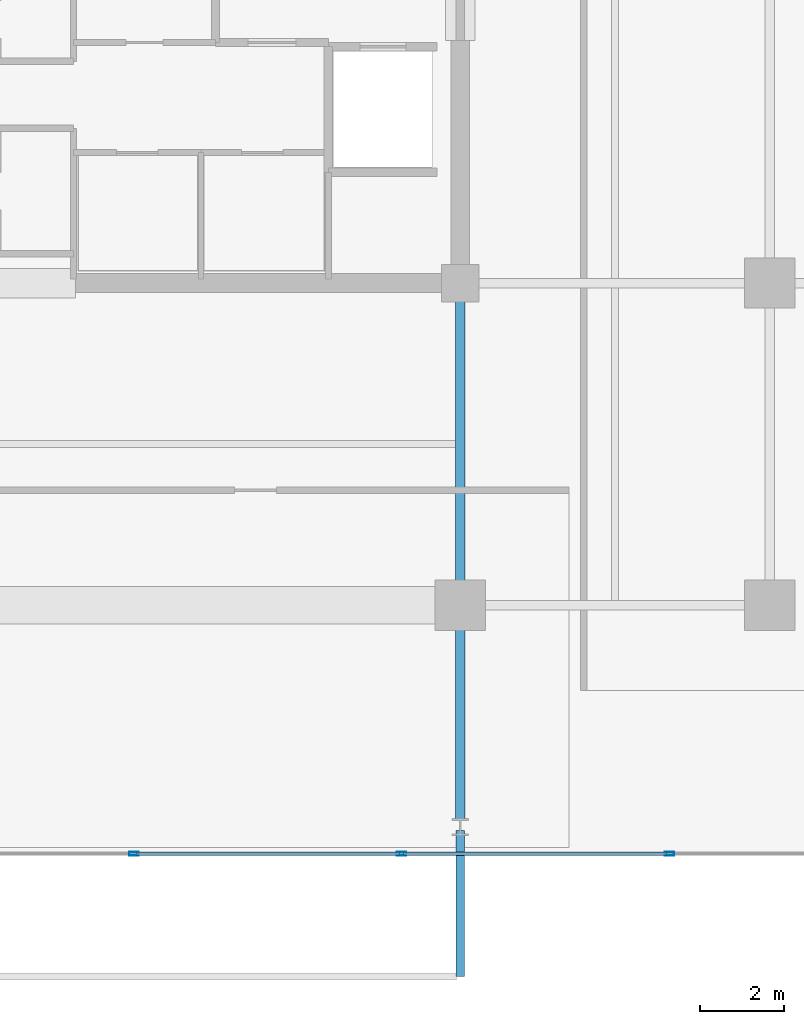
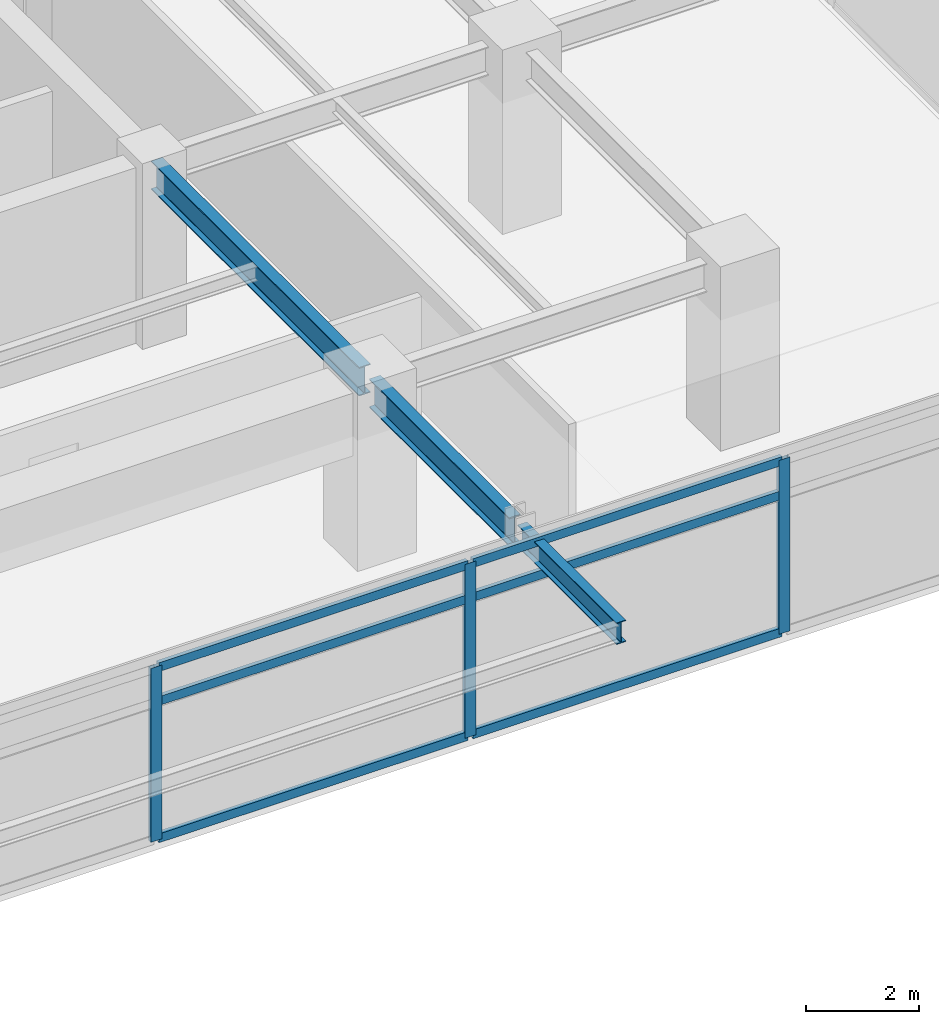
# One storey, part 5 of 19: 9 members, 3 beams, 1 element without a shape of its own.
"""IFC4 building model written with IfcOpenShell, lengths in metres."""

from ifc_helpers import new_model, si_unit, direction, frame, origin, origin_2d, place, context, subcontext, project, spatial, hollow_rectangle, i_section, extrude, material, material_profile, profile_set, type_object, element, aggregate, save


model = new_model("IFC4")

# Units and contexts
model_context = context("Model", 3, precision=1e-05, world=origin(), true_north=direction((0.0, 1.0)))
body_context = subcontext(model_context, "Body", "Model", "MODEL_VIEW")
ifc_project = project(units=[si_unit("LENGTHUNIT", "METRE"), si_unit("AREAUNIT", "SQUARE_METRE"), si_unit("VOLUMEUNIT", "CUBIC_METRE"), si_unit("PLANEANGLEUNIT", "RADIAN"), si_unit("MASSUNIT", "GRAM", prefix="KILO")], contexts=[model_context])

# Site, building, storey
site_placement = place(None, origin())
site = spatial("IfcSite", under=ifc_project, at=site_placement, CompositionType="ELEMENT")
building_placement = place(site_placement, origin())
building = spatial("IfcBuilding", under=site, at=building_placement, Name="Kovane Verandah Tower", CompositionType="ELEMENT")
storey_placement = place(building_placement, frame((0.0, 0.0, 255.199951171875)))
storey = spatial("IfcBuildingStorey", under=building, at=storey_placement, Name="L59", CompositionType="ELEMENT", Elevation=255.199951171875)

# Beams
ifc_material_1 = material(Name="Steel S355", Category="steel")
ifc_material_profile_1 = material_profile(ifc_material_1, i_section(OverallWidth=0.230224609375, OverallDepth=0.6171875, WebThickness=0.01318359375, FlangeThickness=0.022216796875, FilletRadius=0.0126953125, at=origin_2d()), Name="UB610x229x140")
ifc_profile_set_1 = profile_set([ifc_material_profile_1], Name="Steel S355")
beam_type_1 = type_object("IfcBeamType", Name="BM-UB610x140", PredefinedType="BEAM", material=ifc_profile_set_1)
beam_1_placement = place(storey_placement, frame((51.0, 18.320068359375, 3.4765625), z_axis=(0.0, -1.0, 0.0), x_axis=(1.0, 0.0, 0.0)))
element("IfcBeam", 1, at=beam_1_placement, inside=storey, type_object=beam_type_1, Name="L59 Primary Tower Girder G-S2", PredefinedType="BEAM", context=body_context, shape_type="SweptSolid", body=[
    extrude(i_section(OverallWidth=0.230224609375, OverallDepth=0.6171875, WebThickness=0.01318359375, FlangeThickness=0.022216796875, FilletRadius=0.0126953125, at=origin_2d()), origin(), (0.0, 0.0, 1.0), 7.340087890625),
])
beam_2_placement = place(storey_placement, frame((51.0, 10.6201171875, 3.451416015625), z_axis=(0.0, -1.0, 0.0), x_axis=(1.0, 0.0, 0.0)))
element("IfcBeam", 2, at=beam_2_placement, inside=storey, type_object=beam_type_1, Name="L59 Primary Tower Girder G-VS2", PredefinedType="BEAM", context=body_context, shape_type="SweptSolid", body=[
    extrude(i_section(OverallWidth=0.230224609375, OverallDepth=0.6171875, WebThickness=0.01318359375, FlangeThickness=0.022216796875, FilletRadius=0.0126953125, at=origin_2d()), origin(), (0.0, 0.0, 1.0), 4.940185546875),
])

# Curtain wall, members
ifc_material_2 = material(Name="Champagne Anodised Aluminium Frame with Low-E Clear Laminated Glass", Category="aluminium")
curtain_wall_type = type_object("IfcCurtainWallType", Name="CW-SYS-05-HIGH", PredefinedType="NOTDEFINED", material=ifc_material_2)
curtain_wall_placement = place(storey_placement, origin())
curtain_wall = element("IfcCurtainWall", 3, at=curtain_wall_placement, inside=storey, type_object=curtain_wall_type, Name="L59 S Unitised Curtain Wall", PredefinedType="NOTDEFINED")
ifc_material_3 = material(Name="Champagne Anodised Aluminium 6063-T6", Category="aluminium")
ifc_material_profile_2 = material_profile(ifc_material_3, hollow_rectangle(XDim=0.0849609375, YDim=0.22998046875, WallThickness=0.00390625, at=origin_2d()), Name="AL85x230x4")
ifc_profile_set_2 = profile_set([ifc_material_profile_2], Name="Champagne Anodised Aluminium 6063-T6")
member_type_1 = type_object("IfcMemberType", Name="CW-MUL-85x230", PredefinedType="MULLION", material=ifc_profile_set_2)
member_1_placement = place(storey_placement, frame((43.199462890625, 4.8623046875, 0.02001953125), z_axis=(0.0, 0.0, 1.0), x_axis=(0.0, -1.0, 0.0)))
member_1 = element("IfcMember", 4, at=member_1_placement, type_object=member_type_1, Name="L59 S Unitised Curtain Wall Mullion 5", PredefinedType="MULLION", context=body_context, shape_type="SweptSolid", body=[
    extrude(hollow_rectangle(XDim=0.0849609375, YDim=0.22998046875, WallThickness=0.00390625, at=origin_2d()), origin(), (0.0, 0.0, 1.0), 3.7451171875),
])
member_2_placement = place(storey_placement, frame((49.598388671875, 4.8623046875, 0.02001953125), z_axis=(0.0, 0.0, 1.0), x_axis=(0.0, -1.0, 0.0)))
member_2 = element("IfcMember", 5, at=member_2_placement, type_object=member_type_1, Name="L59 S Unitised Curtain Wall Mullion 6", PredefinedType="MULLION", context=body_context, shape_type="SweptSolid", body=[
    extrude(hollow_rectangle(XDim=0.0849609375, YDim=0.22998046875, WallThickness=0.00390625, at=origin_2d()), origin(), (0.0, 0.0, 1.0), 3.7451171875),
])
member_3_placement = place(storey_placement, frame((55.997314453125, 4.8623046875, 0.02001953125), z_axis=(0.0, 0.0, 1.0), x_axis=(0.0, -1.0, 0.0)))
member_3 = element("IfcMember", 6, at=member_3_placement, type_object=member_type_1, Name="L59 S Unitised Curtain Wall Mullion 7", PredefinedType="MULLION", context=body_context, shape_type="SweptSolid", body=[
    extrude(hollow_rectangle(XDim=0.0849609375, YDim=0.22998046875, WallThickness=0.00390625, at=origin_2d()), origin(), (0.0, 0.0, 1.0), 3.7451171875),
])
ifc_material_profile_3 = material_profile(ifc_material_3, hollow_rectangle(XDim=0.0849609375, YDim=0.18994140625, WallThickness=0.00390625, at=origin_2d()), Name="AL85x190x4")
ifc_profile_set_3 = profile_set([ifc_material_profile_3], Name="Champagne Anodised Aluminium 6063-T6")
member_type_2 = type_object("IfcMemberType", Name="CW-TRN-85x190", PredefinedType="USERDEFINED", material=ifc_profile_set_3)
member_4_placement = place(storey_placement, frame((43.24951171875, 4.8623046875, 0.050048828125), z_axis=(1.0, 0.0, 0.0), x_axis=(0.0, 1.0, 0.0)))
member_4 = element("IfcMember", 7, at=member_4_placement, type_object=member_type_2, Name="L59 S Unitised Curtain Wall Transom TB Bay 5", ObjectType="TRANSOM", PredefinedType="USERDEFINED", context=body_context, shape_type="SweptSolid", body=[
    extrude(hollow_rectangle(XDim=0.0849609375, YDim=0.18994140625, WallThickness=0.00390625, at=origin_2d()), origin(), (0.0, 0.0, 1.0), 6.298828125),
])
member_5_placement = place(storey_placement, frame((43.24951171875, 4.8623046875, 3.005126953125), z_axis=(1.0, 0.0, 0.0), x_axis=(0.0, 1.0, 0.0)))
member_5 = element("IfcMember", 8, at=member_5_placement, type_object=member_type_2, Name="L59 S Unitised Curtain Wall Transom TM Bay 5", ObjectType="TRANSOM", PredefinedType="USERDEFINED", context=body_context, shape_type="SweptSolid", body=[
    extrude(hollow_rectangle(XDim=0.0849609375, YDim=0.18994140625, WallThickness=0.00390625, at=origin_2d()), origin(), (0.0, 0.0, 1.0), 6.298828125),
])
member_6_placement = place(storey_placement, frame((43.24951171875, 4.8623046875, 3.735107421875), z_axis=(1.0, 0.0, 0.0), x_axis=(0.0, 1.0, 0.0)))
member_6 = element("IfcMember", 9, at=member_6_placement, type_object=member_type_2, Name="L59 S Unitised Curtain Wall Transom TT Bay 5", ObjectType="TRANSOM", PredefinedType="USERDEFINED", context=body_context, shape_type="SweptSolid", body=[
    extrude(hollow_rectangle(XDim=0.0849609375, YDim=0.18994140625, WallThickness=0.00390625, at=origin_2d()), origin(), (0.0, 0.0, 1.0), 6.298828125),
])
member_7_placement = place(storey_placement, frame((49.6484375, 4.8623046875, 0.050048828125), z_axis=(1.0, 0.0, 0.0), x_axis=(0.0, 1.0, 0.0)))
member_7 = element("IfcMember", 10, at=member_7_placement, type_object=member_type_2, Name="L59 S Unitised Curtain Wall Transom TB Bay 6", ObjectType="TRANSOM", PredefinedType="USERDEFINED", context=body_context, shape_type="SweptSolid", body=[
    extrude(hollow_rectangle(XDim=0.0849609375, YDim=0.18994140625, WallThickness=0.00390625, at=origin_2d()), origin(), (0.0, 0.0, 1.0), 6.299072265625),
])
member_8_placement = place(storey_placement, frame((49.6484375, 4.8623046875, 3.005126953125), z_axis=(1.0, 0.0, 0.0), x_axis=(0.0, 1.0, 0.0)))
member_8 = element("IfcMember", 11, at=member_8_placement, type_object=member_type_2, Name="L59 S Unitised Curtain Wall Transom TM Bay 6", ObjectType="TRANSOM", PredefinedType="USERDEFINED", context=body_context, shape_type="SweptSolid", body=[
    extrude(hollow_rectangle(XDim=0.0849609375, YDim=0.18994140625, WallThickness=0.00390625, at=origin_2d()), origin(), (0.0, 0.0, 1.0), 6.299072265625),
])
member_9_placement = place(storey_placement, frame((49.6484375, 4.8623046875, 3.735107421875), z_axis=(1.0, 0.0, 0.0), x_axis=(0.0, 1.0, 0.0)))
member_9 = element("IfcMember", 12, at=member_9_placement, type_object=member_type_2, Name="L59 S Unitised Curtain Wall Transom TT Bay 6", ObjectType="TRANSOM", PredefinedType="USERDEFINED", context=body_context, shape_type="SweptSolid", body=[
    extrude(hollow_rectangle(XDim=0.0849609375, YDim=0.18994140625, WallThickness=0.00390625, at=origin_2d()), origin(), (0.0, 0.0, 1.0), 6.299072265625),
])
aggregate(curtain_wall, [member_1, member_2, member_3, member_4, member_5, member_6, member_7, member_8, member_9])

# Beam
ifc_material_profile_4 = material_profile(ifc_material_1, i_section(OverallWidth=0.19287109375, OverallDepth=0.46728515625, WebThickness=0.011474609375, FlangeThickness=0.01953125, FilletRadius=0.01025390625, at=origin_2d()), Name="UB457x191x98")
ifc_profile_set_4 = profile_set([ifc_material_profile_4], Name="Steel S355")
beam_type_2 = type_object("IfcBeamType", Name="JST-UB457x98", PredefinedType="JOIST", material=ifc_profile_set_4)
beam_3_placement = place(storey_placement, frame((51.0, 5.419921875, 3.5263671875), z_axis=(0.0, -1.0, 0.0), x_axis=(1.0, 0.0, 0.0)))
element("IfcBeam", 13, at=beam_3_placement, inside=storey, type_object=beam_type_2, Name="L59 South Planter Girder 2", PredefinedType="JOIST", context=body_context, shape_type="SweptSolid", body=[
    extrude(i_section(OverallWidth=0.19287109375, OverallDepth=0.46728515625, WebThickness=0.011474609375, FlangeThickness=0.01953125, FilletRadius=0.01025390625, at=origin_2d()), origin(), (0.0, 0.0, 1.0), 3.488037109375),
])

save(model, "model.ifc")
